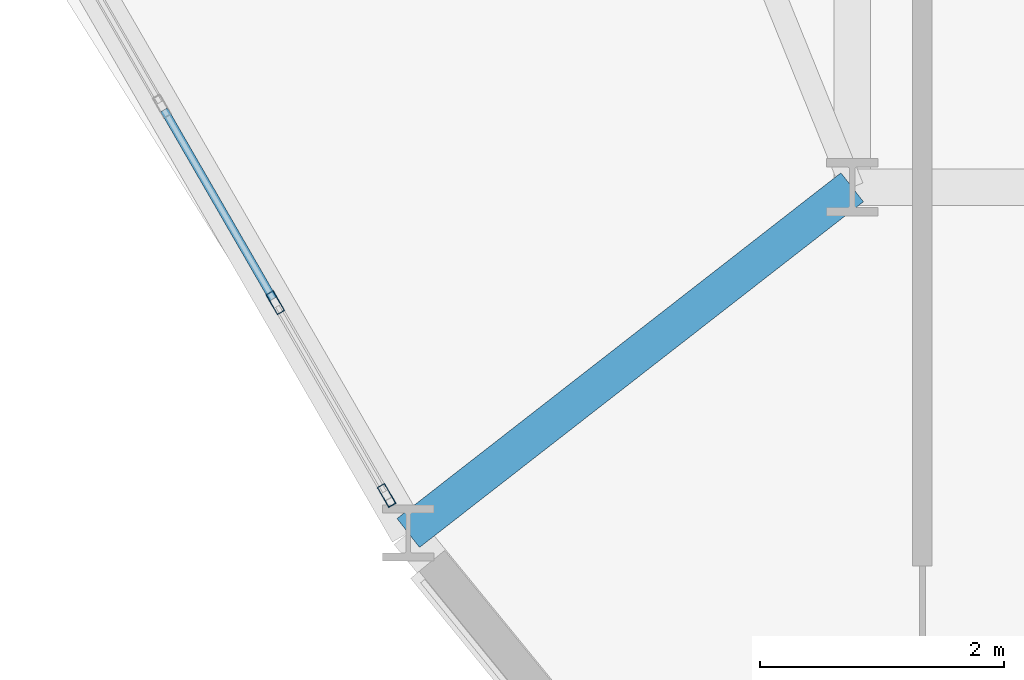
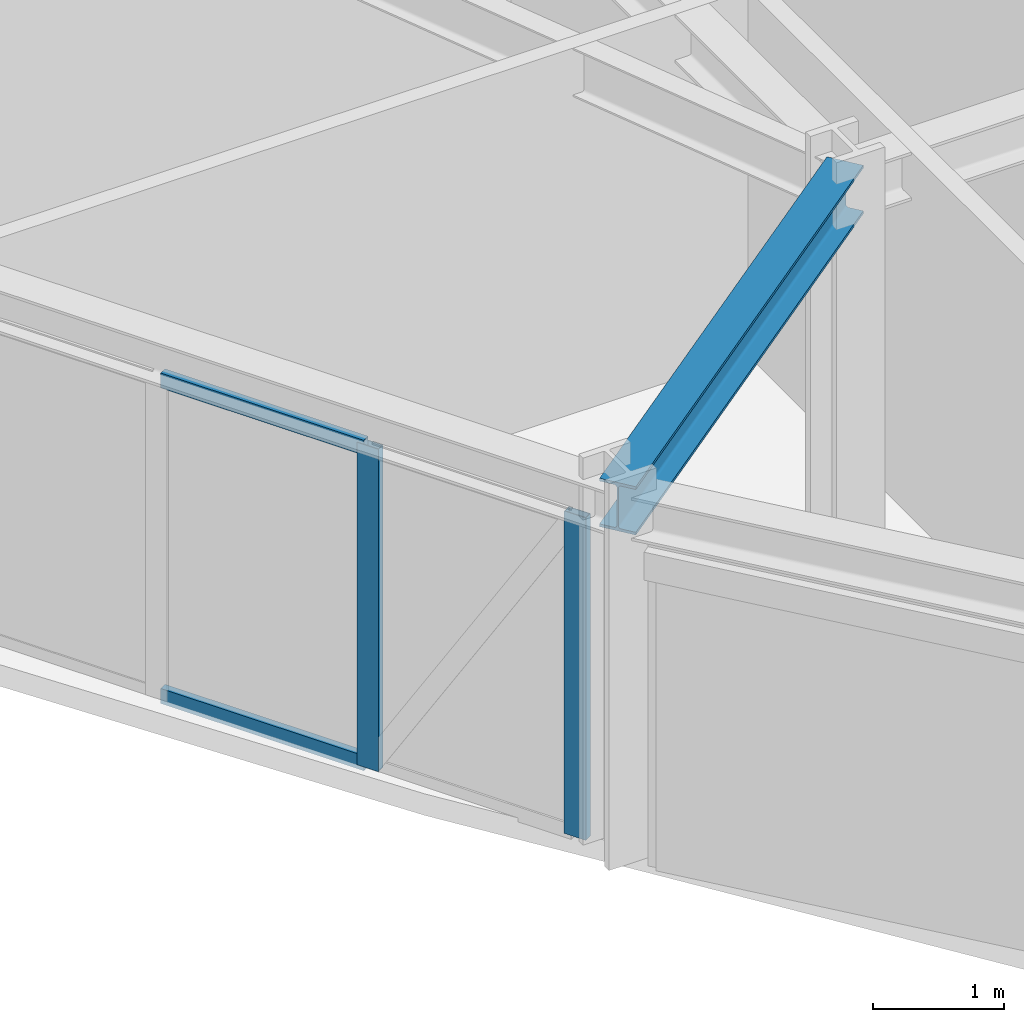
# One storey, part 2 of 17: 4 members, 1 beam, 1 element without a shape of its own.
"""IFC4 building model written with IfcOpenShell, lengths in metres."""

from ifc_helpers import new_model, si_unit, derived_unit, direction, frame, origin, origin_2d, place, context, subcontext, project, spatial, hollow_rectangle, i_section, extrude, source, transform, mapped, material, layer, layer_set, material_profile, profile_set, type_object, element, aggregate, save


model = new_model("IFC4")

# Units and contexts
model_context = context("Model", 3, precision=1e-05, world=origin(), true_north=direction((0.0, 1.0)))
body_context = subcontext(model_context, "Body", "Model", "MODEL_VIEW")
ifc_project = project(units=[si_unit("LENGTHUNIT", "METRE"), si_unit("AREAUNIT", "SQUARE_METRE"), si_unit("VOLUMEUNIT", "CUBIC_METRE"), si_unit("PLANEANGLEUNIT", "RADIAN"), si_unit("MASSUNIT", "GRAM", prefix="KILO"), derived_unit("THERMALTRANSMITTANCEUNIT", [(si_unit("POWERUNIT", "WATT"), 1), (si_unit("LENGTHUNIT", "METRE"), -2), (si_unit("THERMODYNAMICTEMPERATUREUNIT", "KELVIN"), -1)])], contexts=[model_context])

# Site, building, storey
site_placement = place(None, origin())
site = spatial("IfcSite", under=ifc_project, at=site_placement, CompositionType="ELEMENT")
building_placement = place(site_placement, origin())
building = spatial("IfcBuilding", under=site, at=building_placement, Name="Korsvarv Bourse and Concert Hall", CompositionType="ELEMENT")
storey_placement = place(building_placement, frame((0.0, 0.0, 120.60009765625)))
storey = spatial("IfcBuildingStorey", under=building, at=storey_placement, Name="L30", CompositionType="ELEMENT", Elevation=120.60009765625)

# Beam
ifc_material_1 = material(Name="Steel S355", Category="steel")
ifc_material_profile_1 = material_profile(ifc_material_1, i_section(OverallWidth=0.300048828125, OverallDepth=0.449951171875, WebThickness=0.013916015625, FlangeThickness=0.02587890625, FilletRadius=0.02099609375, at=origin_2d()), Name="HEB 450")
ifc_profile_set_1 = profile_set([ifc_material_profile_1], Name="Steel S355")
beam_type = type_object("IfcBeamType", Name="BM-HEB450", PredefinedType="SPANDREL", material=ifc_profile_set_1)
shared_shape_1 = source(origin(), body_context, "Body", "SweptSolid", [
    extrude(i_section(OverallWidth=0.300048828125, OverallDepth=0.449951171875, WebThickness=0.013916015625, FlangeThickness=0.02587890625, FilletRadius=0.02099609375, at=origin_2d()), origin(), (0.0, 0.0, 1.0), 4.610595703125),
])
beam_placement = place(storey_placement, frame((23.96240234375, 21.167236328125, 3.1748046875), z_axis=(0.788989967488, 0.614406080051, 0.0), x_axis=(-0.614406080051, 0.788989967488, 0.0)))
element("IfcBeam", 1, at=beam_placement, inside=storey, type_object=beam_type, Name="L30 beam B-08", PredefinedType="SPANDREL", context=body_context, shape_type="MappedRepresentation", body=[
    mapped(shared_shape_1, transform((0.0, 0.0, 0.0), scale=1.0)),
])

# Curtain wall, members
ifc_material_2 = material(Name="Anodised aluminium and triple low-E glazing", Category="glass")
ifc_layer = layer(ifc_material_2, 0.2099609375)
ifc_layer_set = layer_set([ifc_layer], Name="Anodised aluminium and triple low-E glazing")
curtain_wall_type = type_object("IfcCurtainWallType", Name="CW-SYS-2", PredefinedType="NOTDEFINED", material=ifc_layer_set)
curtain_wall_placement = place(storey_placement, origin())
curtain_wall = element("IfcCurtainWall", 2, at=curtain_wall_placement, inside=storey, type_object=curtain_wall_type, Name="L30 CW2 curtain wall CW-L30-F07", PredefinedType="NOTDEFINED")
ifc_material_3 = material(Name="Extruded aluminium EN AW-6063 T66", Category="aluminium")
ifc_material_profile_2 = material_profile(ifc_material_3, hollow_rectangle(XDim=0.070068359375, YDim=0.18994140625, WallThickness=0.0048828125, at=origin_2d()), Name="ALU-M 70x190")
ifc_profile_set_2 = profile_set([ifc_material_profile_2], Name="Extruded aluminium EN AW-6063 T66")
member_type_1 = type_object("IfcMemberType", Name="CWM-190", PredefinedType="MULLION", material=ifc_profile_set_2)
shared_shape_2 = source(origin(), body_context, "Body", "SweptSolid", [
    extrude(hollow_rectangle(XDim=0.070068359375, YDim=0.18994140625, WallThickness=0.0048828125, at=origin_2d()), origin(), (0.0, 0.0, 1.0), 3.0),
])
member_1_placement = place(storey_placement, frame((22.872802734375, 23.0546875, 0.0), z_axis=(0.0, 0.0, 1.0), x_axis=(0.866021265954, 0.500007166863, 0.0)))
member_1 = element("IfcMember", 3, at=member_1_placement, type_object=member_type_1, Name="CW2 mullion 7", PredefinedType="MULLION", context=body_context, shape_type="MappedRepresentation", body=[
    mapped(shared_shape_2, transform((0.0, 0.0, 0.0), scale=1.0)),
])
member_2_placement = place(storey_placement, frame((23.784912109375, 21.47509765625, 0.0), z_axis=(0.0, 0.0, 1.0), x_axis=(0.866021265954, 0.500007166863, 0.0)))
member_2 = element("IfcMember", 4, at=member_2_placement, type_object=member_type_1, Name="CW2 mullion 8", PredefinedType="MULLION", context=body_context, shape_type="MappedRepresentation", body=[
    mapped(shared_shape_2, transform((0.0, 0.0, 0.0), scale=1.0)),
])
ifc_material_profile_3 = material_profile(ifc_material_3, hollow_rectangle(XDim=0.06494140625, YDim=0.139892578125, WallThickness=0.00390625, at=origin_2d()), Name="ALU-T 65x140")
ifc_profile_set_3 = profile_set([ifc_material_profile_3], Name="Extruded aluminium EN AW-6063 T66")
member_type_2 = type_object("IfcMemberType", Name="CWT-140", PredefinedType="USERDEFINED", material=ifc_profile_set_3)
shared_shape_3 = source(origin(), body_context, "Body", "SweptSolid", [
    extrude(hollow_rectangle(XDim=0.06494140625, YDim=0.139892578125, WallThickness=0.00390625, at=origin_2d()), origin(), (0.0, 0.0, 1.0), 1.788818359375),
])
member_3_placement = place(storey_placement, frame((21.9609375, 24.63427734375, 0.032470703125), z_axis=(0.499911478227, -0.866076505822, 0.0), x_axis=(0.866076505822, 0.499911478227, 0.0)))
member_3 = element("IfcMember", 5, at=member_3_placement, type_object=member_type_2, Name="CW2 transom 6.1", ObjectType="TRANSOM", PredefinedType="USERDEFINED", context=body_context, shape_type="MappedRepresentation", body=[
    mapped(shared_shape_3, transform((0.0, 0.0, 0.0), scale=1.0)),
])
member_4_placement = place(storey_placement, frame((21.9609375, 24.63427734375, 2.96728515625), z_axis=(0.499911478227, -0.866076505822, 0.0), x_axis=(0.866076505822, 0.499911478227, 0.0)))
member_4 = element("IfcMember", 6, at=member_4_placement, type_object=member_type_2, Name="CW2 transom 6.2", ObjectType="TRANSOM", PredefinedType="USERDEFINED", context=body_context, shape_type="MappedRepresentation", body=[
    mapped(shared_shape_3, transform((0.0, 0.0, 0.0), scale=1.0)),
])
aggregate(curtain_wall, [member_1, member_2, member_3, member_4])

save(model, "model.ifc")
